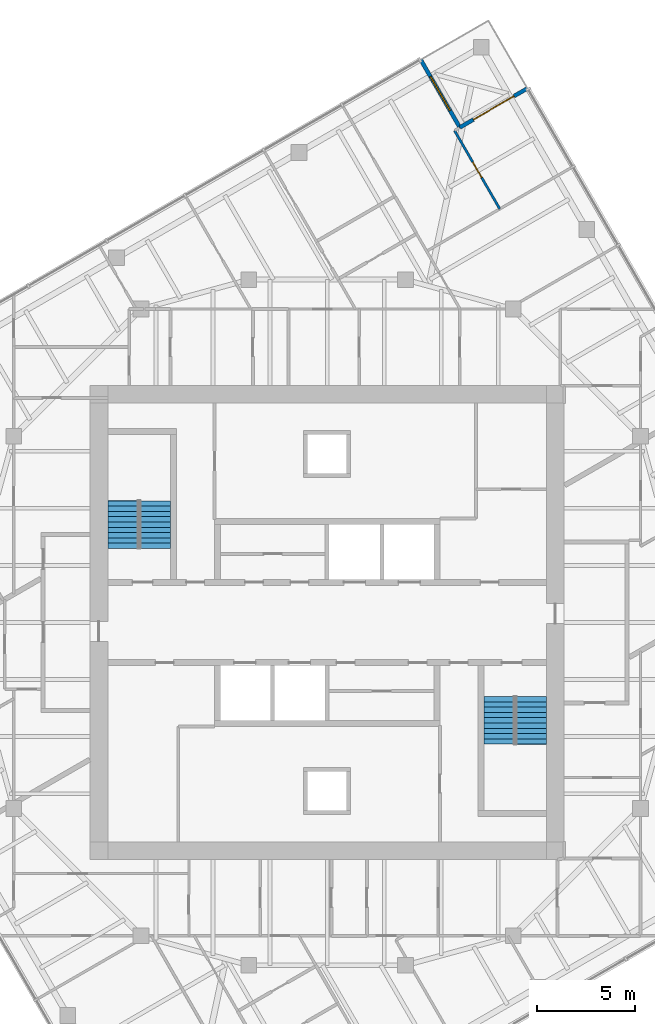
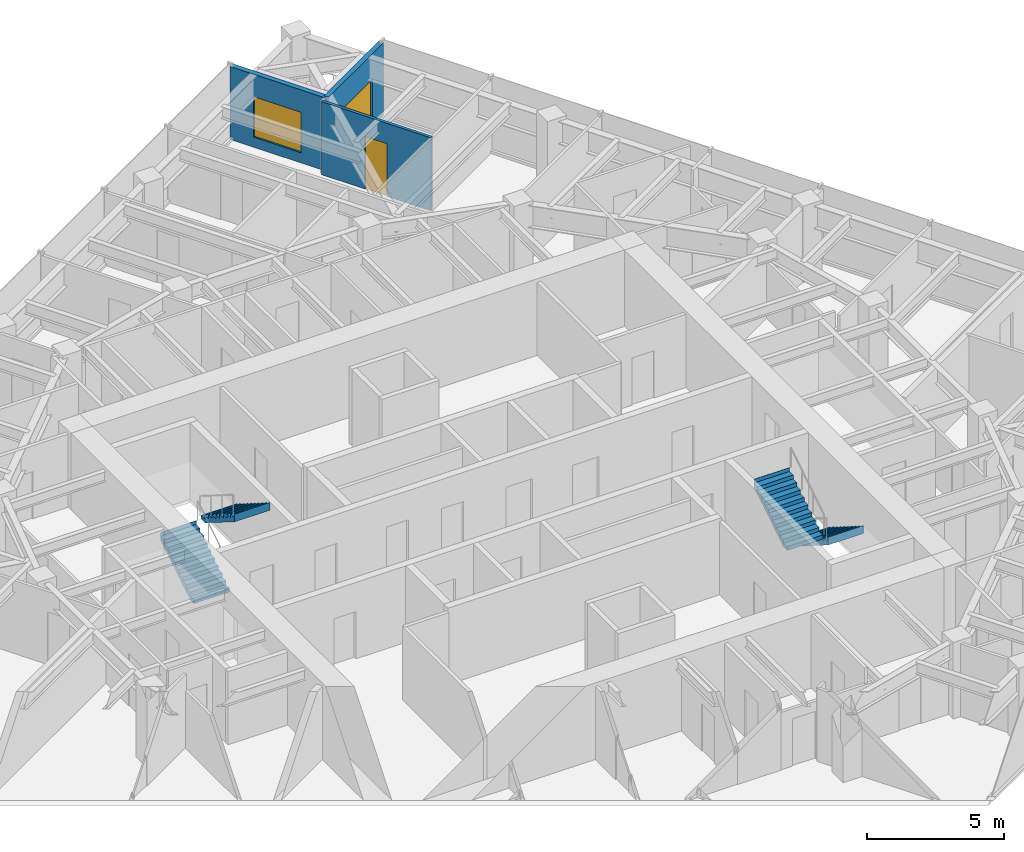
# One storey, part 12 of 13: 4 stair flights, 3 walls, 2 doors, 1 window, 3 openings, 2 elements without a shape of their own.
"""IFC4 building model written with IfcOpenShell, lengths in metres."""

from ifc_helpers import new_model, si_unit, direction, frame, frame_2d, origin, place, context, subcontext, project, spatial, polyline, rectangle, outline, extrude, material, layer, layer_set, type_object, element, fill, aggregate, save


model = new_model("IFC4")

# Units and contexts
model_context = context("Model", 3, precision=1e-05, world=origin(), true_north=direction((0.0, 1.0)))
body_context = subcontext(model_context, "Body", "Model", "MODEL_VIEW")
ifc_project = project(units=[si_unit("LENGTHUNIT", "METRE"), si_unit("AREAUNIT", "SQUARE_METRE"), si_unit("VOLUMEUNIT", "CUBIC_METRE"), si_unit("PLANEANGLEUNIT", "RADIAN"), si_unit("MASSUNIT", "GRAM", prefix="KILO")], contexts=[model_context])

# Site, building, storey
site_placement = place(None, origin())
site = spatial("IfcSite", under=ifc_project, at=site_placement, CompositionType="ELEMENT")
building_placement = place(site_placement, origin())
building = spatial("IfcBuilding", under=site, at=building_placement, Name="Torsade Residences", CompositionType="ELEMENT")
storey_placement = place(building_placement, frame((0.0, 0.0, 225.199951171875)))
storey = spatial("IfcBuildingStorey", under=building, at=storey_placement, Name="L62", CompositionType="ELEMENT", Elevation=225.199951171875)

# Wall, opening, door
ifc_material_1 = material(Name="Plasterboard on steel stud", Category="steel")
ifc_layer_1 = layer(ifc_material_1, 0.1201171875)
ifc_layer_set_1 = layer_set([ifc_layer_1], Name="Plasterboard on steel stud")
wall_type_1 = type_object("IfcWallType", Name="PARTITION 120", PredefinedType="PARTITIONING", material=ifc_layer_set_1)
wall_1_placement = place(storey_placement, frame((46.505859375, 55.106689453125, 0.0), z_axis=(0.0, 0.0, 1.0), x_axis=(0.49996820914, -0.866043757468, 0.0)))
wall_1 = element("IfcWall", 1, at=wall_1_placement, inside=storey, type_object=wall_type_1, Name="Partition L62", PredefinedType="PARTITIONING", context=body_context, shape_type="SweptSolid", body=[
    extrude(rectangle(XDim=4.614990234375, YDim=0.1201171875, at=frame_2d((2.3076171875, 0.0))), origin(), (0.0, 0.0, 1.0), 3.25),
])
opening_1_placement = place(wall_1_placement, frame((1.847412109375, 0.0, 0.0)))
opening_1 = element("IfcOpeningElement", 2, at=opening_1_placement, cuts=wall_1, Name="Opening D02", PredefinedType="OPENING", context=body_context, shape_type="SweptSolid", body=[
    extrude(rectangle(XDim=0.919921875, YDim=2.340087890625, at=frame_2d((0.4599609375, 1.169921875))), frame((0.0, 0.070068359375, 0.0), z_axis=(0.0, -1.0, 0.0), x_axis=(1.0, 0.0, 0.0)), (0.0, 0.0, 1.0), 0.14013671875),
])
ifc_material_2 = material(Name="Hollow-core timber door", Category="wood")
door_type_1 = type_object("IfcDoorType", Name="INTERNAL DOOR 920x2340", OperationType="NOTDEFINED", PredefinedType="DOOR", material=ifc_material_2)
door_1_placement = place(opening_1_placement, origin())
door_1 = element("IfcDoor", 3, at=door_1_placement, inside=storey, type_object=door_type_1, Name="Door Bedroom 2 to Study 2", OperationType="SINGLE_SWING_RIGHT", OverallHeight=2.340087890625, OverallWidth=0.919921875, PredefinedType="DOOR", context=body_context, shape_type="SweptSolid", body=[
    extrude(rectangle(XDim=0.919921875, YDim=2.340087890625, at=frame_2d((0.4599609375, 1.169921875))), frame((0.0, 0.02490234375, 0.0), z_axis=(0.0, -1.0, 0.0), x_axis=(1.0, 0.0, 0.0)), (0.0, 0.0, 1.0), 0.050048828125),
])
fill(opening_1, door_1)

ifc_material_3 = material(Name="Stone-faced precast concrete 40 MPa panel", Category="masonry")
ifc_layer_2 = layer(ifc_material_3, 0.199951171875)
ifc_layer_set_2 = layer_set([ifc_layer_2], Name="Stone-faced precast concrete 40 MPa panel")
wall_type_2 = type_object("IfcWallType", Name="TERRACE WALL 200", PredefinedType="SOLIDWALL", material=ifc_layer_set_2)
wall_2_placement = place(storey_placement, frame((50.235595703125, 57.271484375, 0.0), z_axis=(0.0, 0.0, 1.0), x_axis=(-0.866026010844, -0.49999894854, 0.0)))
wall_2 = element("IfcWall", 4, at=wall_2_placement, inside=storey, type_object=wall_type_2, Name="Terrace wall L62 5", PredefinedType="SOLIDWALL", context=body_context, shape_type="SweptSolid", body=[
    extrude(rectangle(XDim=4.0, YDim=0.199951171875, at=frame_2d((2.0, 0.0))), origin(), (0.0, 0.0, 1.0), 3.25),
])
opening_2_placement = place(wall_2_placement, frame((0.800048828125, 0.0, 0.0)))
opening_2 = element("IfcOpeningElement", 5, at=opening_2_placement, cuts=wall_2, Name="Opening D10A", PredefinedType="OPENING", context=body_context, shape_type="SweptSolid", body=[
    extrude(rectangle(XDim=2.39990234375, YDim=2.10009765625, at=frame_2d((1.199951171875, 1.050048828125))), frame((0.0, 0.10986328125, 0.0), z_axis=(0.0, -1.0, 0.0), x_axis=(1.0, 0.0, 0.0)), (0.0, 0.0, 1.0), 0.219970703125),
])
ifc_material_4 = material(Name="Aluminium-framed glass door", Category="aluminium")
door_type_2 = type_object("IfcDoorType", Name="TERRACE SLIDING DOOR 2400x2100", OperationType="SLIDING_TO_LEFT", PredefinedType="DOOR", material=ifc_material_4)
door_2_placement = place(opening_2_placement, origin())
door_2 = element("IfcDoor", 6, at=door_2_placement, inside=storey, type_object=door_type_2, Name="Terrace door L62 5", OperationType="SLIDING_TO_LEFT", OverallHeight=2.10009765625, OverallWidth=2.39990234375, PredefinedType="DOOR", context=body_context, shape_type="SweptSolid", body=[
    extrude(rectangle(XDim=2.39990234375, YDim=2.10009765625, at=frame_2d((1.199951171875, 1.050048828125))), frame((0.0, 0.02490234375, 0.0), z_axis=(0.0, -1.0, 0.0), x_axis=(1.0, 0.0, 0.0)), (0.0, 0.0, 1.0), 0.050048828125),
])
fill(opening_2, door_2)

# Wall, opening, window
wall_3_placement = place(storey_placement, frame((46.771484375, 55.271484375, 0.0), z_axis=(0.0, 0.0, 1.0), x_axis=(-0.49999894854, 0.866026010844, 0.0)))
wall_3 = element("IfcWall", 7, at=wall_3_placement, inside=storey, type_object=wall_type_2, Name="Terrace wall L62 6", PredefinedType="SOLIDWALL", context=body_context, shape_type="SweptSolid", body=[
    extrude(rectangle(XDim=4.0, YDim=0.199951171875, at=frame_2d((2.0, 0.0))), origin(), (0.0, 0.0, 1.0), 3.25),
])
opening_3_placement = place(wall_3_placement, frame((1.0, 0.0, 0.449951171875)))
opening_3 = element("IfcOpeningElement", 8, at=opening_3_placement, cuts=wall_3, Name="Opening W1B", PredefinedType="OPENING", context=body_context, shape_type="SweptSolid", body=[
    extrude(rectangle(XDim=2.0, YDim=1.800048828125, at=frame_2d((1.0, 0.89990234375))), frame((0.0, 0.10986328125, 0.0), z_axis=(0.0, -1.0, 0.0), x_axis=(1.0, 0.0, 0.0)), (0.0, 0.0, 1.0), 0.219970703125),
])
ifc_material_5 = material(Name="Aluminium-framed glass window", Category="aluminium")
window_type = type_object("IfcWindowType", Name="TERRACE WINDOW 2000x1800", PartitioningType="SINGLE_PANEL", PredefinedType="WINDOW", material=ifc_material_5)
window_placement = place(opening_3_placement, origin())
window = element("IfcWindow", 9, at=window_placement, inside=storey, type_object=window_type, Name="Terrace window L62 6", OverallHeight=1.800048828125, OverallWidth=2.0, PartitioningType="SINGLE_PANEL", PredefinedType="WINDOW", context=body_context, shape_type="SweptSolid", body=[
    extrude(rectangle(XDim=2.0, YDim=1.800048828125, at=frame_2d((1.0, 0.89990234375))), frame((0.0, 0.030029296875, 0.0), z_axis=(0.0, -1.0, 0.0), x_axis=(1.0, 0.0, 0.0)), (0.0, 0.0, 1.0), 0.06005859375),
])
fill(opening_3, window)

# Stair, stair flights
ifc_material_6 = material(Name="Precast concrete 40 MPa", Category="concrete")
stair_type = type_object("IfcStairType", Name="HALF-TURN FIRE STAIR 1500x3400", PredefinedType="HALF_TURN_STAIR", material=ifc_material_6)
stair_1_placement = place(storey_placement, origin())
stair_1 = element("IfcStair", 10, at=stair_1_placement, inside=storey, type_object=stair_type, Name="Stair ST1 L62", PredefinedType="HALF_TURN_STAIR")
ifc_material_7 = material(Name="Precast concrete 40 MPa", Category="concrete")
stair_flight_type = type_object("IfcStairFlightType", Name="PRECAST STAIR FLIGHT 1500x1700", PredefinedType="STRAIGHT", material=ifc_material_7)
stair_flight_1_placement = place(storey_placement, frame((29.550048828125, 33.780029296875, 0.0), z_axis=(0.0, 0.0, 1.0), x_axis=(0.0, 1.0, 0.0)))
stair_flight_1 = element("IfcStairFlight", 11, at=stair_flight_1_placement, type_object=stair_flight_type, Name="ST1 flight 1", NumberOfRisers=10, NumberOfTreads=9, PredefinedType="STRAIGHT", RiserHeight=0.17, TreadLength=0.27, context=body_context, shape_type="SweptSolid", body=[
    extrude(outline(polyline([(0.0, 0.0), (0.0, 0.169921875), (0.27001953125, 0.169921875), (0.27001953125, 0.340087890625), (0.5400390625, 0.340087890625), (0.5400390625, 0.510009765625), (0.81005859375, 0.510009765625), (0.81005859375, 0.679931640625), (1.080078125, 0.679931640625), (1.080078125, 0.85009765625), (1.35009765625, 0.85009765625), (1.35009765625, 1.02001953125), (1.6201171875, 1.02001953125), (1.6201171875, 1.18994140625), (1.889892578125, 1.18994140625), (1.889892578125, 1.360107421875), (2.159912109375, 1.360107421875), (2.159912109375, 1.530029296875), (2.429931640625, 1.530029296875), (2.429931640625, 1.699951171875), (2.43994140625, 1.699951171875), (2.43994140625, 1.352783203125), (2.429931640625, 1.352783203125), (0.28125, 0.0), (0.0, 0.0)])), frame((0.0, 0.75, 0.0), z_axis=(0.0, -1.0, 0.0), x_axis=(1.0, 0.0, 0.0)), (0.0, 0.0, 1.0), 1.5),
])
stair_flight_2_placement = place(storey_placement, frame((31.25, 36.2099609375, 1.699951171875), z_axis=(0.0, 0.0, 1.0), x_axis=(0.0, -1.0, 0.0)))
stair_flight_2 = element("IfcStairFlight", 12, at=stair_flight_2_placement, type_object=stair_flight_type, Name="ST1 flight 2", NumberOfRisers=10, NumberOfTreads=9, PredefinedType="STRAIGHT", RiserHeight=0.17, TreadLength=0.27, context=body_context, shape_type="SweptSolid", body=[
    extrude(outline(polyline([(0.0, 0.0), (0.0, 0.169921875), (0.27001953125, 0.169921875), (0.27001953125, 0.340087890625), (0.5400390625, 0.340087890625), (0.5400390625, 0.510009765625), (0.81005859375, 0.510009765625), (0.81005859375, 0.679931640625), (1.080078125, 0.679931640625), (1.080078125, 0.85009765625), (1.35009765625, 0.85009765625), (1.35009765625, 1.02001953125), (1.6201171875, 1.02001953125), (1.6201171875, 1.18994140625), (1.889892578125, 1.18994140625), (1.889892578125, 1.360107421875), (2.159912109375, 1.360107421875), (2.159912109375, 1.530029296875), (2.429931640625, 1.530029296875), (2.429931640625, 1.699951171875), (2.43994140625, 1.699951171875), (2.43994140625, 1.352783203125), (2.429931640625, 1.352783203125), (0.28125, 0.0), (0.0, 0.0)])), frame((0.0, 0.75, 0.0), z_axis=(0.0, -1.0, 0.0), x_axis=(1.0, 0.0, 0.0)), (0.0, 0.0, 1.0), 1.5),
])
aggregate(stair_1, [stair_flight_1, stair_flight_2])

stair_2_placement = place(storey_placement, origin())
stair_2 = element("IfcStair", 13, at=stair_2_placement, inside=storey, type_object=stair_type, Name="Stair ST2 L62", PredefinedType="HALF_TURN_STAIR")
stair_flight_3_placement = place(storey_placement, frame((50.449951171875, 26.219970703125, 0.0), z_axis=(0.0, 0.0, 1.0), x_axis=(0.0, -1.0, 0.0)))
stair_flight_3 = element("IfcStairFlight", 14, at=stair_flight_3_placement, type_object=stair_flight_type, Name="ST2 flight 1", NumberOfRisers=10, NumberOfTreads=9, PredefinedType="STRAIGHT", RiserHeight=0.17, TreadLength=0.27, context=body_context, shape_type="SweptSolid", body=[
    extrude(outline(polyline([(0.0, 0.0), (0.0, 0.169921875), (0.27001953125, 0.169921875), (0.27001953125, 0.340087890625), (0.5400390625, 0.340087890625), (0.5400390625, 0.510009765625), (0.81005859375, 0.510009765625), (0.81005859375, 0.679931640625), (1.080078125, 0.679931640625), (1.080078125, 0.85009765625), (1.35009765625, 0.85009765625), (1.35009765625, 1.02001953125), (1.6201171875, 1.02001953125), (1.6201171875, 1.18994140625), (1.889892578125, 1.18994140625), (1.889892578125, 1.360107421875), (2.159912109375, 1.360107421875), (2.159912109375, 1.530029296875), (2.429931640625, 1.530029296875), (2.429931640625, 1.699951171875), (2.43994140625, 1.699951171875), (2.43994140625, 1.352783203125), (2.429931640625, 1.352783203125), (0.28125, 0.0), (0.0, 0.0)])), frame((0.0, 0.75, 0.0), z_axis=(0.0, -1.0, 0.0), x_axis=(1.0, 0.0, 0.0)), (0.0, 0.0, 1.0), 1.5),
])
stair_flight_4_placement = place(storey_placement, frame((48.75, 23.7900390625, 1.699951171875), z_axis=(0.0, 0.0, 1.0), x_axis=(0.0, 1.0, 0.0)))
stair_flight_4 = element("IfcStairFlight", 15, at=stair_flight_4_placement, type_object=stair_flight_type, Name="ST2 flight 2", NumberOfRisers=10, NumberOfTreads=9, PredefinedType="STRAIGHT", RiserHeight=0.17, TreadLength=0.27, context=body_context, shape_type="SweptSolid", body=[
    extrude(outline(polyline([(0.0, 0.0), (0.0, 0.169921875), (0.27001953125, 0.169921875), (0.27001953125, 0.340087890625), (0.5400390625, 0.340087890625), (0.5400390625, 0.510009765625), (0.81005859375, 0.510009765625), (0.81005859375, 0.679931640625), (1.080078125, 0.679931640625), (1.080078125, 0.85009765625), (1.35009765625, 0.85009765625), (1.35009765625, 1.02001953125), (1.6201171875, 1.02001953125), (1.6201171875, 1.18994140625), (1.889892578125, 1.18994140625), (1.889892578125, 1.360107421875), (2.159912109375, 1.360107421875), (2.159912109375, 1.530029296875), (2.429931640625, 1.530029296875), (2.429931640625, 1.699951171875), (2.43994140625, 1.699951171875), (2.43994140625, 1.352783203125), (2.429931640625, 1.352783203125), (0.28125, 0.0), (0.0, 0.0)])), frame((0.0, 0.75, 0.0), z_axis=(0.0, -1.0, 0.0), x_axis=(1.0, 0.0, 0.0)), (0.0, 0.0, 1.0), 1.5),
])
aggregate(stair_2, [stair_flight_3, stair_flight_4])

save(model, "model.ifc")
